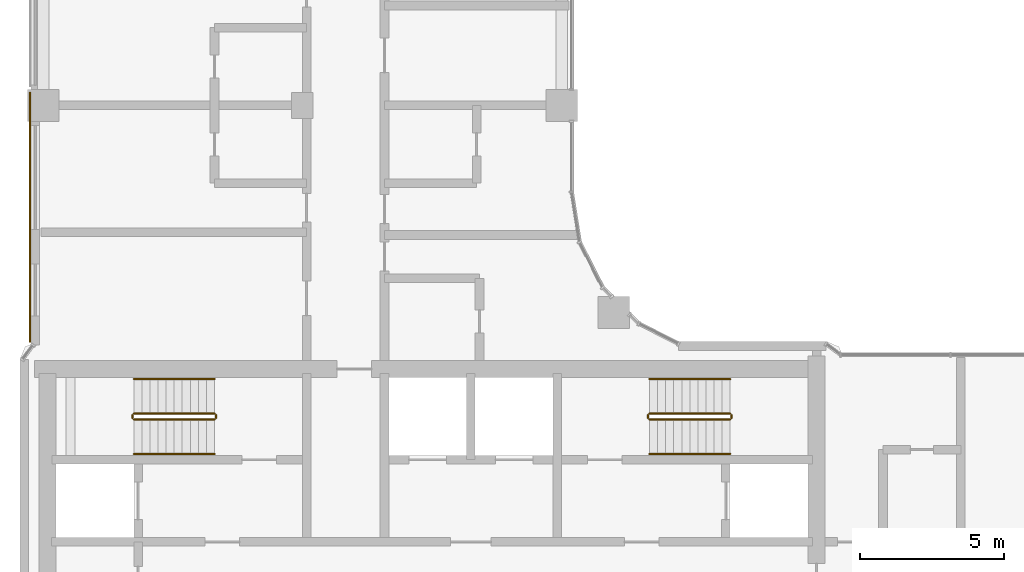
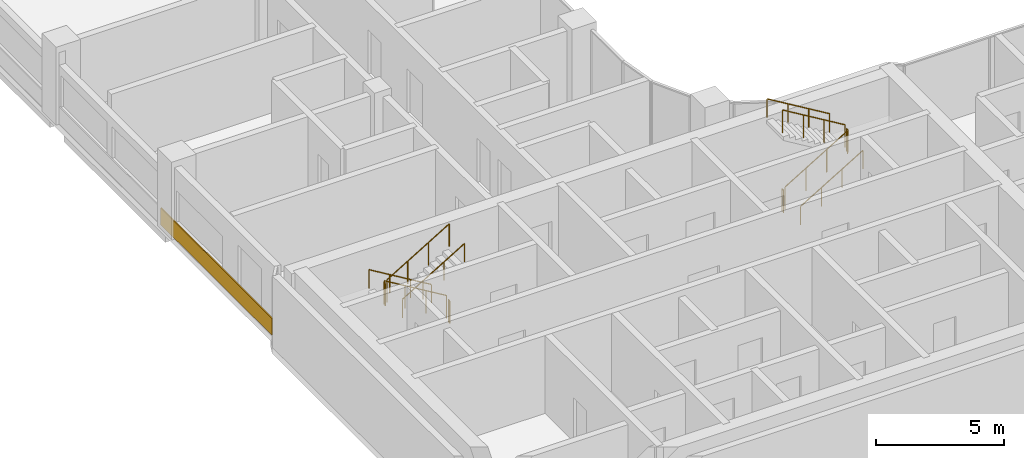
# One storey, part 17 of 21: 12 railings, 1 covering.
"""IFC4 building model written with IfcOpenShell, lengths in metres."""

from ifc_helpers import new_model, si_unit, direction, frame, origin, origin_2d, place, context, subcontext, project, spatial, rectangle, circle, extrude, material, layer, layer_set, type_object, element, save


model = new_model("IFC4")

# Units and contexts
model_context = context("Model", 3, precision=1e-05, world=origin(), true_north=direction((0.0, 1.0)))
body_context = subcontext(model_context, "Body", "Model", "MODEL_VIEW")
ifc_project = project(units=[si_unit("LENGTHUNIT", "METRE"), si_unit("AREAUNIT", "SQUARE_METRE"), si_unit("VOLUMEUNIT", "CUBIC_METRE"), si_unit("PLANEANGLEUNIT", "RADIAN"), si_unit("MASSUNIT", "GRAM", prefix="KILO")], contexts=[model_context])

# Site, building, storey
site_placement = place(None, origin())
site = spatial("IfcSite", under=ifc_project, at=site_placement, CompositionType="ELEMENT")
building_placement = place(site_placement, origin())
building = spatial("IfcBuilding", under=site, at=building_placement, Name="Ogive Portal Towers", CompositionType="ELEMENT")
storey_placement = place(building_placement, frame((0.0, 0.0, 157.0)))
storey = spatial("IfcBuildingStorey", under=building, at=storey_placement, Name="L38", CompositionType="ELEMENT", Elevation=157.0)

# Railings
ifc_material_1 = material(Name="Stainless steel balustrade", Category="steel")
railing_type_1 = type_object("IfcRailingType", Name="INT-GUARD", PredefinedType="GUARDRAIL", material=ifc_material_1)
railing_1_placement = place(storey_placement, frame((37.449951171875, 37.800048828125, 0.168212890625)))
element("IfcRailing", 1, at=railing_1_placement, inside=storey, type_object=railing_type_1, Name="L38 ST-A1 stair guard 1", PredefinedType="GUARDRAIL", context=body_context, shape_type="SweptSolid", body=[
    extrude(circle(Radius=0.02392578125, at=origin_2d()), frame((0.0, 0.0, 1.076171875), z_axis=(-0.857242210791, 0.0, 0.514913383045), x_axis=(0.0, -1.0, 0.0)), (0.0, 0.0, 1.0), 3.266357421875),
    extrude(circle(Radius=0.02099609375, at=origin_2d()), origin(), (0.0, 0.0, 1.0), 1.052001953125),
    extrude(circle(Radius=0.02099609375, at=origin_2d()), frame((-0.933349609375, 0.0, 0.560546875)), (0.0, 0.0, 1.0), 1.052001953125),
    extrude(circle(Radius=0.02099609375, at=origin_2d()), frame((-1.86669921875, 0.0, 1.121337890625)), (0.0, 0.0, 1.0), 1.052001953125),
    extrude(circle(Radius=0.02099609375, at=origin_2d()), frame((-2.800048828125, 0.0, 1.681884765625)), (0.0, 0.0, 1.0), 1.052001953125),
])
railing_2_placement = place(storey_placement, frame((34.60009765625, 37.75, 1.85009765625)))
element("IfcRailing", 2, at=railing_2_placement, inside=storey, type_object=railing_type_1, Name="L38 ST-A1 stair guard 2", PredefinedType="GUARDRAIL", context=body_context, shape_type="SweptSolid", body=[
    extrude(circle(Radius=0.02392578125, at=origin_2d()), frame((0.0, 0.0, 1.076171875), z_axis=(0.0, -1.0, 0.0), x_axis=(1.0, 0.0, 0.0)), (0.0, 0.0, 1.0), 0.10009765625),
    extrude(circle(Radius=0.02099609375, at=origin_2d()), origin(), (0.0, 0.0, 1.0), 1.052001953125),
    extrude(circle(Radius=0.02099609375, at=origin_2d()), frame((0.0, -0.10009765625, 0.0)), (0.0, 0.0, 1.0), 1.052001953125),
])
railing_3_placement = place(storey_placement, frame((34.64990234375, 37.60009765625, 2.01806640625)))
element("IfcRailing", 3, at=railing_3_placement, inside=storey, type_object=railing_type_1, Name="L38 ST-A1 stair guard 3", PredefinedType="GUARDRAIL", context=body_context, shape_type="SweptSolid", body=[
    extrude(circle(Radius=0.02392578125, at=origin_2d()), frame((0.0, 0.0, 1.076171875), z_axis=(0.857242210791, 0.0, 0.514913383045), x_axis=(0.0, 1.0, 0.0)), (0.0, 0.0, 1.0), 3.266357421875),
    extrude(circle(Radius=0.02099609375, at=origin_2d()), origin(), (0.0, 0.0, 1.0), 1.052001953125),
    extrude(circle(Radius=0.02099609375, at=origin_2d()), frame((0.933349609375, 0.0, 0.560546875)), (0.0, 0.0, 1.0), 1.052001953125),
    extrude(circle(Radius=0.02099609375, at=origin_2d()), frame((1.86669921875, 0.0, 1.121337890625)), (0.0, 0.0, 1.0), 1.052001953125),
    extrude(circle(Radius=0.02099609375, at=origin_2d()), frame((2.800048828125, 0.0, 1.681884765625)), (0.0, 0.0, 1.0), 1.052001953125),
])
railing_4_placement = place(storey_placement, frame((37.5, 37.75, 0.0)))
element("IfcRailing", 4, at=railing_4_placement, inside=storey, type_object=railing_type_1, Name="L38 ST-A1 stair guard 4", PredefinedType="GUARDRAIL", context=body_context, shape_type="SweptSolid", body=[
    extrude(circle(Radius=0.02392578125, at=origin_2d()), frame((0.0, 0.0, 1.076171875), z_axis=(0.0, -1.0, 0.0), x_axis=(1.0, 0.0, 0.0)), (0.0, 0.0, 1.0), 0.10009765625),
    extrude(circle(Radius=0.02099609375, at=origin_2d()), origin(), (0.0, 0.0, 1.0), 1.052001953125),
    extrude(circle(Radius=0.02099609375, at=origin_2d()), frame((0.0, -0.10009765625, 0.0)), (0.0, 0.0, 1.0), 1.052001953125),
])
railing_5_placement = place(storey_placement, frame((52.550048828125, 37.60009765625, 0.168212890625)))
element("IfcRailing", 5, at=railing_5_placement, inside=storey, type_object=railing_type_1, Name="L38 ST-A2 stair guard 1", PredefinedType="GUARDRAIL", context=body_context, shape_type="SweptSolid", body=[
    extrude(circle(Radius=0.02392578125, at=origin_2d()), frame((0.0, 0.0, 1.076171875), z_axis=(0.857242210791, 0.0, 0.514913383045), x_axis=(0.0, 1.0, 0.0)), (0.0, 0.0, 1.0), 3.266357421875),
    extrude(circle(Radius=0.02099609375, at=origin_2d()), origin(), (0.0, 0.0, 1.0), 1.052001953125),
    extrude(circle(Radius=0.02099609375, at=origin_2d()), frame((0.933349609375, 0.0, 0.560546875)), (0.0, 0.0, 1.0), 1.052001953125),
    extrude(circle(Radius=0.02099609375, at=origin_2d()), frame((1.86669921875, 0.0, 1.121337890625)), (0.0, 0.0, 1.0), 1.052001953125),
    extrude(circle(Radius=0.02099609375, at=origin_2d()), frame((2.800048828125, 0.0, 1.681884765625)), (0.0, 0.0, 1.0), 1.052001953125),
])
railing_6_placement = place(storey_placement, frame((55.39990234375, 37.64990234375, 1.85009765625)))
element("IfcRailing", 6, at=railing_6_placement, inside=storey, type_object=railing_type_1, Name="L38 ST-A2 stair guard 2", PredefinedType="GUARDRAIL", context=body_context, shape_type="SweptSolid", body=[
    extrude(circle(Radius=0.02392578125, at=origin_2d()), frame((0.0, 0.0, 1.076171875), z_axis=(0.0, 1.0, 0.0), x_axis=(-1.0, 0.0, 0.0)), (0.0, 0.0, 1.0), 0.10009765625),
    extrude(circle(Radius=0.02099609375, at=origin_2d()), origin(), (0.0, 0.0, 1.0), 1.052001953125),
    extrude(circle(Radius=0.02099609375, at=origin_2d()), frame((0.0, 0.10009765625, 0.0)), (0.0, 0.0, 1.0), 1.052001953125),
])
railing_7_placement = place(storey_placement, frame((55.35009765625, 37.800048828125, 2.01806640625)))
element("IfcRailing", 7, at=railing_7_placement, inside=storey, type_object=railing_type_1, Name="L38 ST-A2 stair guard 3", PredefinedType="GUARDRAIL", context=body_context, shape_type="SweptSolid", body=[
    extrude(circle(Radius=0.02392578125, at=origin_2d()), frame((0.0, 0.0, 1.076171875), z_axis=(-0.857242210791, 0.0, 0.514913383045), x_axis=(0.0, -1.0, 0.0)), (0.0, 0.0, 1.0), 3.266357421875),
    extrude(circle(Radius=0.02099609375, at=origin_2d()), origin(), (0.0, 0.0, 1.0), 1.052001953125),
    extrude(circle(Radius=0.02099609375, at=origin_2d()), frame((-0.933349609375, 0.0, 0.560546875)), (0.0, 0.0, 1.0), 1.052001953125),
    extrude(circle(Radius=0.02099609375, at=origin_2d()), frame((-1.86669921875, 0.0, 1.121337890625)), (0.0, 0.0, 1.0), 1.052001953125),
    extrude(circle(Radius=0.02099609375, at=origin_2d()), frame((-2.800048828125, 0.0, 1.681884765625)), (0.0, 0.0, 1.0), 1.052001953125),
])
railing_8_placement = place(storey_placement, frame((52.5, 37.64990234375, 0.0)))
element("IfcRailing", 8, at=railing_8_placement, inside=storey, type_object=railing_type_1, Name="L38 ST-A2 stair guard 4", PredefinedType="GUARDRAIL", context=body_context, shape_type="SweptSolid", body=[
    extrude(circle(Radius=0.02392578125, at=origin_2d()), frame((0.0, 0.0, 1.076171875), z_axis=(0.0, 1.0, 0.0), x_axis=(-1.0, 0.0, 0.0)), (0.0, 0.0, 1.0), 0.10009765625),
    extrude(circle(Radius=0.02099609375, at=origin_2d()), origin(), (0.0, 0.0, 1.0), 1.052001953125),
    extrude(circle(Radius=0.02099609375, at=origin_2d()), frame((0.0, 0.10009765625, 0.0)), (0.0, 0.0, 1.0), 1.052001953125),
])
ifc_material_2 = material(Name="Stainless steel handrail", Category="steel")
railing_type_2 = type_object("IfcRailingType", Name="INT-HANDRAIL", PredefinedType="HANDRAIL", material=ifc_material_2)
railing_9_placement = place(storey_placement, frame((37.449951171875, 39.0, 0.168212890625)))
element("IfcRailing", 9, at=railing_9_placement, inside=storey, type_object=railing_type_2, Name="L38 ST-A1 stair handrail 1", PredefinedType="HANDRAIL", context=body_context, shape_type="SweptSolid", body=[
    extrude(circle(Radius=0.02392578125, at=origin_2d()), frame((0.0, 0.0, 0.8759765625), z_axis=(-0.857242210791, 0.0, 0.514913383045), x_axis=(0.0, -1.0, 0.0)), (0.0, 0.0, 1.0), 3.266357421875),
    extrude(circle(Radius=0.02099609375, at=origin_2d()), origin(), (0.0, 0.0, 1.0), 0.851806640625),
    extrude(circle(Radius=0.02099609375, at=origin_2d()), frame((-0.933349609375, 0.0, 0.560546875)), (0.0, 0.0, 1.0), 0.851806640625),
    extrude(circle(Radius=0.02099609375, at=origin_2d()), frame((-1.86669921875, 0.0, 1.121337890625)), (0.0, 0.0, 1.0), 0.851806640625),
    extrude(circle(Radius=0.02099609375, at=origin_2d()), frame((-2.800048828125, 0.0, 1.681884765625)), (0.0, 0.0, 1.0), 0.851806640625),
])
for number, where, name in (
    (10, (34.64990234375, 36.39990234375, 2.01806640625), "L38 ST-A1 stair handrail 2"),
    (11, (52.550048828125, 36.39990234375, 0.168212890625), "L38 ST-A2 stair handrail 1"),
):
    element("IfcRailing", number, at=place(storey_placement, frame(where)), inside=storey, type_object=railing_type_2, Name=name, PredefinedType="HANDRAIL", context=body_context, shape_type="SweptSolid", body=[
        extrude(circle(Radius=0.02392578125, at=origin_2d()), frame((0.0, 0.0, 0.8759765625), z_axis=(0.857242210791, 0.0, 0.514913383045), x_axis=(0.0, 1.0, 0.0)), (0.0, 0.0, 1.0), 3.266357421875),
        extrude(circle(Radius=0.02099609375, at=origin_2d()), origin(), (0.0, 0.0, 1.0), 0.851806640625),
        extrude(circle(Radius=0.02099609375, at=origin_2d()), frame((0.933349609375, 0.0, 0.560546875)), (0.0, 0.0, 1.0), 0.851806640625),
        extrude(circle(Radius=0.02099609375, at=origin_2d()), frame((1.86669921875, 0.0, 1.121337890625)), (0.0, 0.0, 1.0), 0.851806640625),
        extrude(circle(Radius=0.02099609375, at=origin_2d()), frame((2.800048828125, 0.0, 1.681884765625)), (0.0, 0.0, 1.0), 0.851806640625),
    ])
railing_10_placement = place(storey_placement, frame((55.35009765625, 39.0, 2.01806640625)))
element("IfcRailing", 12, at=railing_10_placement, inside=storey, type_object=railing_type_2, Name="L38 ST-A2 stair handrail 2", PredefinedType="HANDRAIL", context=body_context, shape_type="SweptSolid", body=[
    extrude(circle(Radius=0.02392578125, at=origin_2d()), frame((0.0, 0.0, 0.8759765625), z_axis=(-0.857242210791, 0.0, 0.514913383045), x_axis=(0.0, -1.0, 0.0)), (0.0, 0.0, 1.0), 3.266357421875),
    extrude(circle(Radius=0.02099609375, at=origin_2d()), origin(), (0.0, 0.0, 1.0), 0.851806640625),
    extrude(circle(Radius=0.02099609375, at=origin_2d()), frame((-0.933349609375, 0.0, 0.560546875)), (0.0, 0.0, 1.0), 0.851806640625),
    extrude(circle(Radius=0.02099609375, at=origin_2d()), frame((-1.86669921875, 0.0, 1.121337890625)), (0.0, 0.0, 1.0), 0.851806640625),
    extrude(circle(Radius=0.02099609375, at=origin_2d()), frame((-2.800048828125, 0.0, 1.681884765625)), (0.0, 0.0, 1.0), 0.851806640625),
])

# Covering
ifc_material_3 = material(Name="Limestone cladding on lightweight block wall", Category="masonry")
ifc_layer = layer(ifc_material_3, 0.050048828125)
ifc_layer_set = layer_set([ifc_layer], Name="SCREEN PERFORATED STONE")
covering_type = type_object("IfcCoveringType", Name="SCREEN PERFORATED STONE", PredefinedType="CLADDING", material=ifc_layer_set)
covering_placement = place(storey_placement, frame((31.050048828125, 44.615234375, 0.10009765625), z_axis=(0.0, 0.0, 1.0), x_axis=(0.0, -1.0, 0.0)))
element("IfcCovering", 13, at=covering_placement, inside=storey, type_object=covering_type, Name="Tracery screen", PredefinedType="CLADDING", context=body_context, shape_type="SweptSolid", body=[
    extrude(rectangle(XDim=8.669677734375, YDim=0.050048828125, at=origin_2d()), origin(), (0.0, 0.0, 1.0), 0.800048828125),
])

save(model, "model.ifc")
